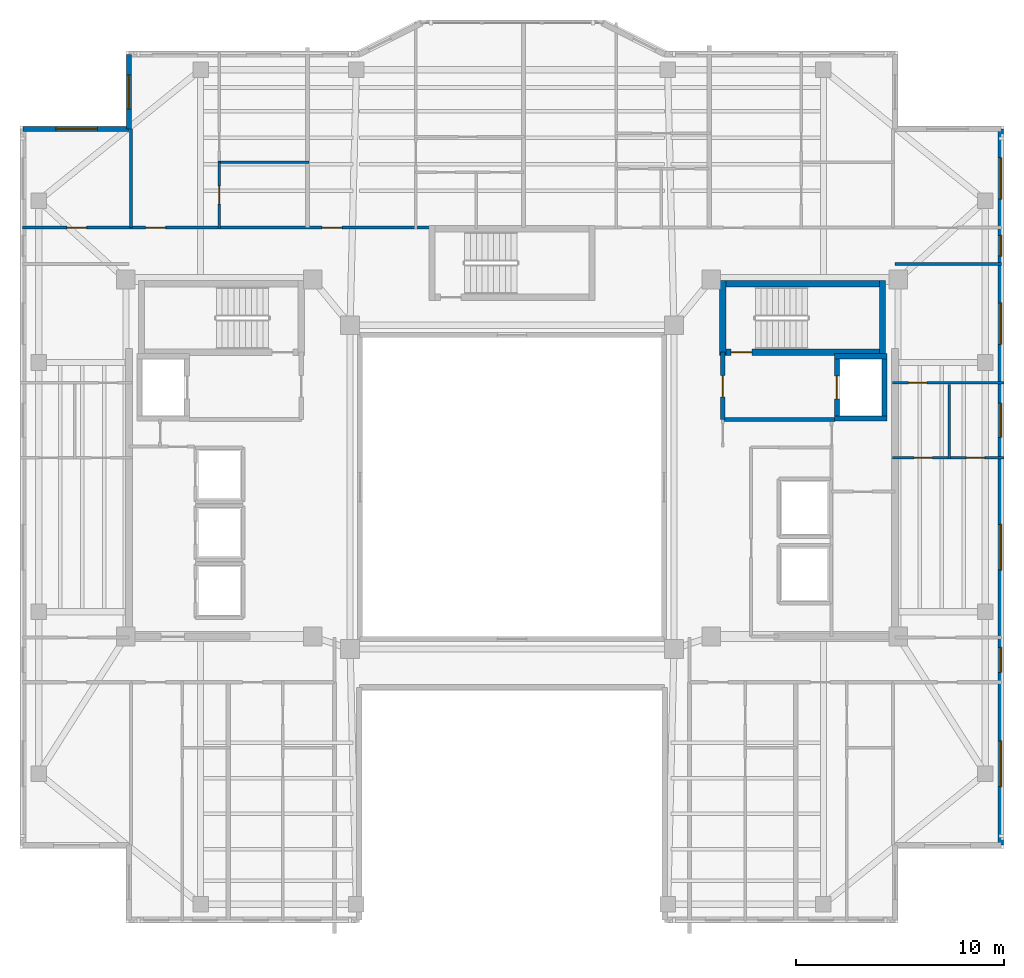
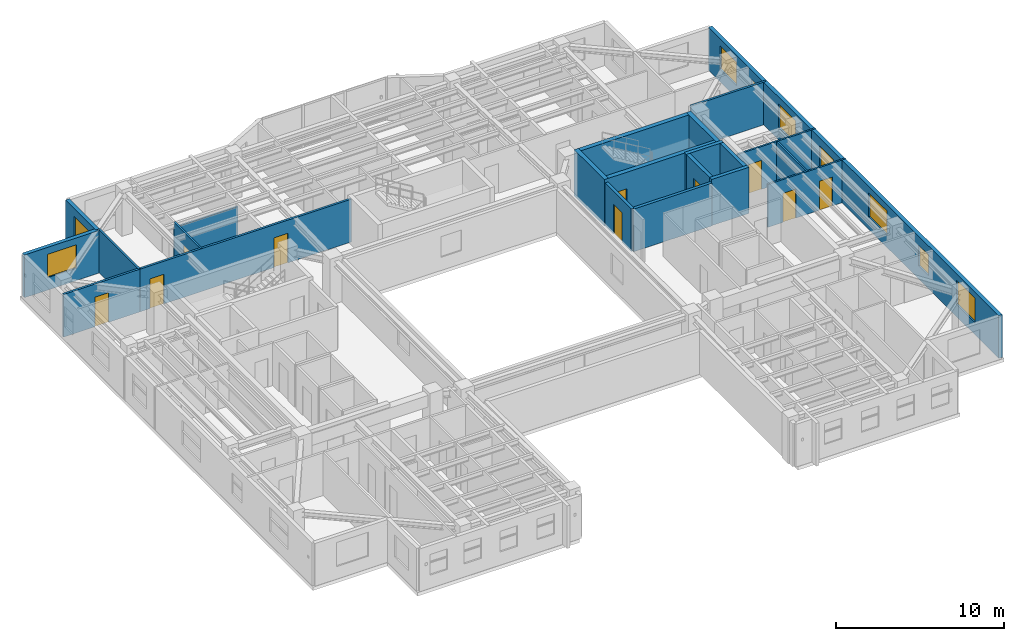
# One storey, part 7 of 12: 22 walls, 10 doors, 9 windows, 19 openings.
"""IFC4 building model written with IfcOpenShell, lengths in metres."""

from ifc_helpers import new_model, si_unit, direction, frame, frame_2d, origin, place, context, subcontext, project, spatial, rectangle, extrude, material, layer, layer_set, type_object, element, fill, save


model = new_model("IFC4")

# Units and contexts
model_context = context("Model", 3, precision=1e-05, world=origin(), true_north=direction((0.0, 1.0)))
body_context = subcontext(model_context, "Body", "Model", "MODEL_VIEW")
ifc_project = project(units=[si_unit("LENGTHUNIT", "METRE"), si_unit("AREAUNIT", "SQUARE_METRE"), si_unit("VOLUMEUNIT", "CUBIC_METRE"), si_unit("PLANEANGLEUNIT", "RADIAN"), si_unit("MASSUNIT", "GRAM", prefix="KILO")], contexts=[model_context])

# Site, building, storey
site_placement = place(None, origin())
site = spatial("IfcSite", under=ifc_project, at=site_placement, CompositionType="ELEMENT")
building_placement = place(site_placement, origin())
building = spatial("IfcBuilding", under=site, at=building_placement, Name="Tarnavaz Court Tower", CompositionType="ELEMENT")
storey_placement = place(building_placement, frame((0.0, 0.0, 210.35009765625)))
storey = spatial("IfcBuildingStorey", under=building, at=storey_placement, Name="L57", CompositionType="ELEMENT", Elevation=210.35009765625)

# Wall, opening, door
ifc_material_1 = material(Name="Concrete C50/60", Category="concrete")
ifc_layer_1 = layer(ifc_material_1, 0.25)
ifc_layer_set_1 = layer_set([ifc_layer_1], Name="Concrete C50/60")
wall_type_1 = type_object("IfcWallType", Name="WL-CORE-250-C50", PredefinedType="SHEAR", material=ifc_layer_set_1)
wall_1_placement = place(storey_placement, frame((15.64990234375, 3.175048828125, 0.0), z_axis=(0.0, 0.0, 1.0), x_axis=(0.0, 1.0, 0.0)))
wall_1 = element("IfcWall", 1, at=wall_1_placement, inside=storey, type_object=wall_type_1, Name="L57 Lift FL-E1 Shaft Wall 033", PredefinedType="SHEAR", context=body_context, shape_type="SweptSolid", body=[
    extrude(rectangle(XDim=3.25, YDim=0.25, at=frame_2d((1.625, 0.0))), origin(), (0.0, 0.0, 1.0), 3.349853515625),
])
opening_1_placement = place(wall_1_placement, frame((1.074951171875, 0.0, 0.0)))
opening_1 = element("IfcOpeningElement", 2, at=opening_1_placement, cuts=wall_1, Name="Opening LD1", PredefinedType="OPENING", context=body_context, shape_type="SweptSolid", body=[
    extrude(rectangle(XDim=1.10009765625, YDim=2.14990234375, at=frame_2d((0.550048828125, 1.074951171875))), frame((0.0, 0.135009765625, 0.0), z_axis=(0.0, -1.0, 0.0), x_axis=(1.0, 0.0, 0.0)), (0.0, 0.0, 1.0), 0.27001953125),
])
ifc_material_2 = material(Name="Stainless Steel", Category="steel")
door_type_1 = type_object("IfcDoorType", Name="DR-LD-1100", OperationType="NOTDEFINED", PredefinedType="DOOR", material=ifc_material_2)
door_1_placement = place(opening_1_placement, origin())
door_1 = element("IfcDoor", 3, at=door_1_placement, inside=storey, type_object=door_type_1, Name="L57 Lift Landing Door LD-FL-E1", OperationType="SLIDING_TO_LEFT", OverallHeight=2.14990234375, OverallWidth=1.10009765625, PredefinedType="DOOR", context=body_context, shape_type="SweptSolid", body=[
    extrude(rectangle(XDim=1.10009765625, YDim=2.14990234375, at=frame_2d((0.550048828125, 1.074951171875))), frame((0.0, 0.02490234375, 0.0), z_axis=(0.0, -1.0, 0.0), x_axis=(1.0, 0.0, 0.0)), (0.0, 0.0, 1.0), 0.050048828125),
])
fill(opening_1, door_1)

# Walls
wall_2_placement = place(storey_placement, frame((17.949951171875, 3.175048828125, 0.0), z_axis=(0.0, 0.0, 1.0), x_axis=(0.0, 1.0, 0.0)))
element("IfcWall", 4, at=wall_2_placement, inside=storey, type_object=wall_type_1, Name="L57 Lift FL-E1 Shaft Wall 034", PredefinedType="SHEAR", context=body_context, shape_type="SweptSolid", body=[
    extrude(rectangle(XDim=3.25, YDim=0.25, at=frame_2d((1.625, 0.0))), origin(), (0.0, 0.0, 1.0), 3.349853515625),
])
for number, where, z_axis, x_axis, name in (
    (5, (15.52490234375, 3.300048828125, 0.0), (0.0, 0.0, 1.0), (1.0, 0.0, 0.0), "L57 Lift FL-E1 Shaft Wall 035"),
    (6, (15.52490234375, 6.300048828125, 0.0), (0.0, 0.0, 1.0), (1.0, 0.0, 0.0), "L57 Lift FL-E1 Shaft Wall 036"),
):
    element("IfcWall", number, at=place(storey_placement, frame(where, z_axis=z_axis, x_axis=x_axis)), inside=storey, type_object=wall_type_1, Name=name, PredefinedType="SHEAR", context=body_context, shape_type="SweptSolid", body=[
        extrude(rectangle(XDim=2.550048828125, YDim=0.25, at=frame_2d((1.27490234375, 0.0))), origin(), (0.0, 0.0, 1.0), 3.349853515625),
    ])
ifc_layer_2 = layer(ifc_material_1, 0.300048828125)
ifc_layer_set_2 = layer_set([ifc_layer_2], Name="Concrete C50/60")
wall_type_2 = type_object("IfcWallType", Name="WL-CORE-300-C50", PredefinedType="SHEAR", material=ifc_layer_set_2)
wall_3_placement = place(storey_placement, frame((10.0, 9.7900390625, 0.0), z_axis=(0.0, 0.0, 1.0), x_axis=(1.0, 0.0, 0.0)))
element("IfcWall", 7, at=wall_3_placement, inside=storey, type_object=wall_type_2, Name="L57 East Stair Core Wall 005", PredefinedType="SHEAR", context=body_context, shape_type="SweptSolid", body=[
    extrude(rectangle(XDim=8.0, YDim=0.300048828125, at=frame_2d((4.0, 0.0))), origin(), (0.0, 0.0, 1.0), 3.349853515625),
])

# Wall, opening, door
wall_4_placement = place(storey_placement, frame((10.0, 6.5, 0.0), z_axis=(0.0, 0.0, 1.0), x_axis=(1.0, 0.0, 0.0)))
wall_4 = element("IfcWall", 8, at=wall_4_placement, inside=storey, type_object=wall_type_2, Name="L57 East Stair Core Wall 006", PredefinedType="SHEAR", context=body_context, shape_type="SweptSolid", body=[
    extrude(rectangle(XDim=8.0, YDim=0.300048828125, at=frame_2d((4.0, 0.0))), origin(), (0.0, 0.0, 1.0), 3.349853515625),
])
opening_2_placement = place(wall_4_placement, frame((0.550048828125, 0.0, 0.0)))
opening_2 = element("IfcOpeningElement", 9, at=opening_2_placement, cuts=wall_4, Name="Opening D01", PredefinedType="OPENING", context=body_context, shape_type="SweptSolid", body=[
    extrude(rectangle(XDim=1.0, YDim=2.14990234375, at=frame_2d((0.5, 1.074951171875))), frame((0.0, 0.159912109375, 0.0), z_axis=(0.0, -1.0, 0.0), x_axis=(1.0, 0.0, 0.0)), (0.0, 0.0, 1.0), 0.320068359375),
])
ifc_material_3 = material(Name="Fire-Rated Hardwood Timber Core", Category="wood")
door_type_2 = type_object("IfcDoorType", Name="DR-FD90-1000", OperationType="NOTDEFINED", PredefinedType="DOOR", material=ifc_material_3)
door_2_placement = place(opening_2_placement, origin())
door_2 = element("IfcDoor", 10, at=door_2_placement, inside=storey, type_object=door_type_2, Name="L57 Stair ST-E1 Exit Door", OperationType="SINGLE_SWING_RIGHT", OverallHeight=2.14990234375, OverallWidth=1.0, PredefinedType="DOOR", context=body_context, shape_type="SweptSolid", body=[
    extrude(rectangle(XDim=1.0, YDim=2.14990234375, at=frame_2d((0.5, 1.074951171875))), frame((0.0, 0.02490234375, 0.0), z_axis=(0.0, -1.0, 0.0), x_axis=(1.0, 0.0, 0.0)), (0.0, 0.0, 1.0), 0.050048828125),
])
fill(opening_2, door_2)

# Walls
for number, where, z_axis, x_axis, name in (
    (11, (10.14990234375, 6.35009765625, 0.0), (0.0, 0.0, 1.0), (0.0, 1.0, 0.0), "L57 East Stair Core Wall 007"),
    (12, (17.85009765625, 6.35009765625, 0.0), (0.0, 0.0, 1.0), (0.0, 1.0, 0.0), "L57 East Stair Core Wall 008"),
):
    element("IfcWall", number, at=place(storey_placement, frame(where, z_axis=z_axis, x_axis=x_axis)), inside=storey, type_object=wall_type_2, Name=name, PredefinedType="SHEAR", context=body_context, shape_type="SweptSolid", body=[
        extrude(rectangle(XDim=3.58984375, YDim=0.300048828125, at=frame_2d((1.794921875, 0.0))), origin(), (0.0, 0.0, 1.0), 3.349853515625),
    ])

# Wall, opening, window
ifc_material_4 = material(Name="Precast Concrete C40/50", Category="concrete")
ifc_layer_3 = layer(ifc_material_4, 0.260009765625)
ifc_layer_set_3 = layer_set([ifc_layer_3], Name="Precast Concrete C40/50")
wall_type_3 = type_object("IfcWallType", Name="WL-EXT-260", PredefinedType="SOLIDWALL", material=ifc_layer_set_3)
wall_5_placement = place(storey_placement, frame((-23.550048828125, 17.25, 0.0), z_axis=(0.0, 0.0, 1.0), x_axis=(1.0, 0.0, 0.0)))
wall_5 = element("IfcWall", 13, at=wall_5_placement, inside=storey, type_object=wall_type_3, Name="L57 Exterior Terracotta Facade Wall 03", PredefinedType="SOLIDWALL", context=body_context, shape_type="SweptSolid", body=[
    extrude(rectangle(XDim=5.10009765625, YDim=0.260009765625, at=frame_2d((2.550048828125, 0.0))), origin(), (0.0, 0.0, 1.0), 3.099853515625),
])
opening_3_placement = place(wall_5_placement, frame((1.574951171875, 0.0, 0.89990234375)))
opening_3 = element("IfcOpeningElement", 14, at=opening_3_placement, cuts=wall_5, Name="Opening W08", PredefinedType="OPENING", context=body_context, shape_type="SweptSolid", body=[
    extrude(rectangle(XDim=2.0, YDim=1.699951171875, at=frame_2d((1.0, 0.85009765625))), frame((0.0, 0.139892578125, 0.0), z_axis=(0.0, -1.0, 0.0), x_axis=(1.0, 0.0, 0.0)), (0.0, 0.0, 1.0), 0.280029296875),
])
ifc_material_5 = material(Name="Double-Glazed Solar Low-E Glass", Category="glass")
window_type_1 = type_object("IfcWindowType", Name="WN-APT-2000", PartitioningType="DOUBLE_PANEL_VERTICAL", PredefinedType="WINDOW", material=ifc_material_5)
window_1_placement = place(opening_3_placement, origin())
window_1 = element("IfcWindow", 15, at=window_1_placement, inside=storey, type_object=window_type_1, Name="L57 North-West Corner Sunroom Study Window", OverallHeight=1.699951171875, OverallWidth=2.0, PartitioningType="SINGLE_PANEL", PredefinedType="WINDOW", context=body_context, shape_type="SweptSolid", body=[
    extrude(rectangle(XDim=2.0, YDim=1.699951171875, at=frame_2d((1.0, 0.85009765625))), frame((0.0, 0.030029296875, 0.0), z_axis=(0.0, -1.0, 0.0), x_axis=(1.0, 0.0, 0.0)), (0.0, 0.0, 1.0), 0.06005859375),
])
fill(opening_3, window_1)

wall_6_placement = place(storey_placement, frame((-18.449951171875, 17.25, 0.0), z_axis=(0.0, 0.0, 1.0), x_axis=(0.0, 1.0, 0.0)))
wall_6 = element("IfcWall", 16, at=wall_6_placement, inside=storey, type_object=wall_type_3, Name="L57 Exterior Terracotta Facade Wall 04", PredefinedType="SOLIDWALL", context=body_context, shape_type="SweptSolid", body=[
    extrude(rectangle(XDim=3.60009765625, YDim=0.260009765625, at=frame_2d((1.800048828125, 0.0))), origin(), (0.0, 0.0, 1.0), 3.099853515625),
])
opening_4_placement = place(wall_6_placement, frame((0.95751953125, 0.0, 0.89990234375)))
opening_4 = element("IfcOpeningElement", 17, at=opening_4_placement, cuts=wall_6, Name="Opening W02", PredefinedType="OPENING", context=body_context, shape_type="SweptSolid", body=[
    extrude(rectangle(XDim=1.64990234375, YDim=1.60009765625, at=frame_2d((0.824951171875, 0.800048828125))), frame((0.0, 0.139892578125, 0.0), z_axis=(0.0, -1.0, 0.0), x_axis=(1.0, 0.0, 0.0)), (0.0, 0.0, 1.0), 0.280029296875),
])
window_type_2 = type_object("IfcWindowType", Name="WN-APT-1650", PartitioningType="DOUBLE_PANEL_VERTICAL", PredefinedType="WINDOW", material=ifc_material_5)
window_2_placement = place(opening_4_placement, origin())
window_2 = element("IfcWindow", 18, at=window_2_placement, inside=storey, type_object=window_type_2, Name="L57 Flat 01 Studio Living and Sleeping Room Window", OverallHeight=1.60009765625, OverallWidth=1.64990234375, PartitioningType="SINGLE_PANEL", PredefinedType="WINDOW", context=body_context, shape_type="SweptSolid", body=[
    extrude(rectangle(XDim=1.64990234375, YDim=1.60009765625, at=frame_2d((0.824951171875, 0.800048828125))), frame((0.0, 0.030029296875, 0.0), z_axis=(0.0, -1.0, 0.0), x_axis=(1.0, 0.0, 0.0)), (0.0, 0.0, 1.0), 0.06005859375),
])
fill(opening_4, window_2)

# Wall, openings, windows
wall_7_placement = place(storey_placement, frame((23.550048828125, 17.25, 0.0), z_axis=(0.0, 0.0, 1.0), x_axis=(0.0, -1.0, 0.0)))
wall_7 = element("IfcWall", 19, at=wall_7_placement, inside=storey, type_object=wall_type_3, Name="L57 Exterior Terracotta Facade Wall 12", PredefinedType="SOLIDWALL", context=body_context, shape_type="SweptSolid", body=[
    extrude(rectangle(XDim=34.5, YDim=0.260009765625, at=frame_2d((17.25, 0.0))), origin(), (0.0, 0.0, 1.0), 3.099853515625),
])
opening_5_placement = place(wall_7_placement, frame((1.375, 0.0, 0.89990234375)))
opening_5 = element("IfcOpeningElement", 20, at=opening_5_placement, cuts=wall_7, Name="Opening W08", PredefinedType="OPENING", context=body_context, shape_type="SweptSolid", body=[
    extrude(rectangle(XDim=2.0, YDim=1.699951171875, at=frame_2d((1.0, 0.85009765625))), frame((0.0, 0.139892578125, 0.0), z_axis=(0.0, -1.0, 0.0), x_axis=(1.0, 0.0, 0.0)), (0.0, 0.0, 1.0), 0.280029296875),
])
opening_6_placement = place(wall_7_placement, frame((5.125, 0.0, 0.949951171875)))
opening_6 = element("IfcOpeningElement", 21, at=opening_6_placement, cuts=wall_7, Name="Opening W14", PredefinedType="OPENING", context=body_context, shape_type="SweptSolid", body=[
    extrude(rectangle(XDim=1.0, YDim=1.5, at=frame_2d((0.5, 0.75))), frame((0.0, 0.139892578125, 0.0), z_axis=(0.0, -1.0, 0.0), x_axis=(1.0, 0.0, 0.0)), (0.0, 0.0, 1.0), 0.280029296875),
])
opening_7_placement = place(wall_7_placement, frame((8.375, 0.0, 0.89990234375)))
opening_7 = element("IfcOpeningElement", 22, at=opening_7_placement, cuts=wall_7, Name="Opening W08", PredefinedType="OPENING", context=body_context, shape_type="SweptSolid", body=[
    extrude(rectangle(XDim=2.0, YDim=1.699951171875, at=frame_2d((1.0, 0.85009765625))), frame((0.0, 0.139892578125, 0.0), z_axis=(0.0, -1.0, 0.0), x_axis=(1.0, 0.0, 0.0)), (0.0, 0.0, 1.0), 0.280029296875),
])
opening_8_placement = place(wall_7_placement, frame((13.199951171875, 0.0, 0.89990234375)))
opening_8 = element("IfcOpeningElement", 23, at=opening_8_placement, cuts=wall_7, Name="Opening W02", PredefinedType="OPENING", context=body_context, shape_type="SweptSolid", body=[
    extrude(rectangle(XDim=1.64990234375, YDim=1.60009765625, at=frame_2d((0.824951171875, 0.800048828125))), frame((0.0, 0.139892578125, 0.0), z_axis=(0.0, -1.0, 0.0), x_axis=(1.0, 0.0, 0.0)), (0.0, 0.0, 1.0), 0.280029296875),
])
opening_9_placement = place(wall_7_placement, frame((19.050048828125, 0.0, 0.89990234375)))
opening_9 = element("IfcOpeningElement", 24, at=opening_9_placement, cuts=wall_7, Name="Opening W07", PredefinedType="OPENING", context=body_context, shape_type="SweptSolid", body=[
    extrude(rectangle(XDim=2.199951171875, YDim=1.75, at=frame_2d((1.10009765625, 0.875))), frame((0.0, 0.139892578125, 0.0), z_axis=(0.0, -1.0, 0.0), x_axis=(1.0, 0.0, 0.0)), (0.0, 0.0, 1.0), 0.280029296875),
])
opening_10_placement = place(wall_7_placement, frame((24.97509765625, 0.0, 0.949951171875)))
opening_10 = element("IfcOpeningElement", 25, at=opening_10_placement, cuts=wall_7, Name="Opening W05", PredefinedType="OPENING", context=body_context, shape_type="SweptSolid", body=[
    extrude(rectangle(XDim=1.199951171875, YDim=1.5, at=frame_2d((0.60009765625, 0.75))), frame((0.0, 0.139892578125, 0.0), z_axis=(0.0, -1.0, 0.0), x_axis=(1.0, 0.0, 0.0)), (0.0, 0.0, 1.0), 0.280029296875),
])
opening_11_placement = place(wall_7_placement, frame((29.47509765625, 0.0, 0.89990234375)))
opening_11 = element("IfcOpeningElement", 26, at=opening_11_placement, cuts=wall_7, Name="Opening W07", PredefinedType="OPENING", context=body_context, shape_type="SweptSolid", body=[
    extrude(rectangle(XDim=2.199951171875, YDim=1.75, at=frame_2d((1.10009765625, 0.875))), frame((0.0, 0.139892578125, 0.0), z_axis=(0.0, -1.0, 0.0), x_axis=(1.0, 0.0, 0.0)), (0.0, 0.0, 1.0), 0.280029296875),
])
window_type_3 = type_object("IfcWindowType", Name="WN-APT-1000", PartitioningType="SINGLE_PANEL", PredefinedType="WINDOW", material=ifc_material_5)
window_3_placement = place(opening_6_placement, origin())
window_3 = element("IfcWindow", 27, at=window_3_placement, inside=storey, type_object=window_type_3, Name="L57 North-East Corner Corridor Window", OverallHeight=1.5, OverallWidth=1.0, PartitioningType="SINGLE_PANEL", PredefinedType="WINDOW", context=body_context, shape_type="SweptSolid", body=[
    extrude(rectangle(XDim=1.0, YDim=1.5, at=frame_2d((0.5, 0.75))), frame((0.0, 0.030029296875, 0.0), z_axis=(0.0, -1.0, 0.0), x_axis=(1.0, 0.0, 0.0)), (0.0, 0.0, 1.0), 0.06005859375),
])
fill(opening_6, window_3)
window_type_4 = type_object("IfcWindowType", Name="WN-APT-1200", PartitioningType="SINGLE_PANEL", PredefinedType="WINDOW", material=ifc_material_5)
window_4_placement = place(opening_10_placement, origin())
window_4 = element("IfcWindow", 28, at=window_4_placement, inside=storey, type_object=window_type_4, Name="L57 South-East Corner Corridor Window", OverallHeight=1.5, OverallWidth=1.199951171875, PartitioningType="SINGLE_PANEL", PredefinedType="WINDOW", context=body_context, shape_type="SweptSolid", body=[
    extrude(rectangle(XDim=1.199951171875, YDim=1.5, at=frame_2d((0.60009765625, 0.75))), frame((0.0, 0.030029296875, 0.0), z_axis=(0.0, -1.0, 0.0), x_axis=(1.0, 0.0, 0.0)), (0.0, 0.0, 1.0), 0.06005859375),
])
fill(opening_10, window_4)
window_5_placement = place(opening_8_placement, origin())
window_5 = element("IfcWindow", 29, at=window_5_placement, inside=storey, type_object=window_type_2, Name="L57 Flat 10 Bathroom Window", OverallHeight=1.60009765625, OverallWidth=1.64990234375, PartitioningType="SINGLE_PANEL", PredefinedType="WINDOW", context=body_context, shape_type="SweptSolid", body=[
    extrude(rectangle(XDim=1.64990234375, YDim=1.60009765625, at=frame_2d((0.824951171875, 0.800048828125))), frame((0.0, 0.030029296875, 0.0), z_axis=(0.0, -1.0, 0.0), x_axis=(1.0, 0.0, 0.0)), (0.0, 0.0, 1.0), 0.06005859375),
])
fill(opening_8, window_5)
window_6_placement = place(opening_5_placement, origin())
window_6 = element("IfcWindow", 30, at=window_6_placement, inside=storey, type_object=window_type_1, Name="L57 North-East Corner Sunroom Study Window", OverallHeight=1.699951171875, OverallWidth=2.0, PartitioningType="SINGLE_PANEL", PredefinedType="WINDOW", context=body_context, shape_type="SweptSolid", body=[
    extrude(rectangle(XDim=2.0, YDim=1.699951171875, at=frame_2d((1.0, 0.85009765625))), frame((0.0, 0.030029296875, 0.0), z_axis=(0.0, -1.0, 0.0), x_axis=(1.0, 0.0, 0.0)), (0.0, 0.0, 1.0), 0.06005859375),
])
fill(opening_5, window_6)
window_7_placement = place(opening_7_placement, origin())
window_7 = element("IfcWindow", 31, at=window_7_placement, inside=storey, type_object=window_type_1, Name="L57 Flat 10 Study Room Window", OverallHeight=1.699951171875, OverallWidth=2.0, PartitioningType="SINGLE_PANEL", PredefinedType="WINDOW", context=body_context, shape_type="SweptSolid", body=[
    extrude(rectangle(XDim=2.0, YDim=1.699951171875, at=frame_2d((1.0, 0.85009765625))), frame((0.0, 0.030029296875, 0.0), z_axis=(0.0, -1.0, 0.0), x_axis=(1.0, 0.0, 0.0)), (0.0, 0.0, 1.0), 0.06005859375),
])
fill(opening_7, window_7)
window_type_5 = type_object("IfcWindowType", Name="WN-APT-2200", PartitioningType="TRIPLE_PANEL_VERTICAL", PredefinedType="WINDOW", material=ifc_material_5)
window_8_placement = place(opening_9_placement, origin())
window_8 = element("IfcWindow", 32, at=window_8_placement, inside=storey, type_object=window_type_5, Name="L57 Flat 10 Studio Living and Sleeping Room Window", OverallHeight=1.75, OverallWidth=2.199951171875, PartitioningType="SINGLE_PANEL", PredefinedType="WINDOW", context=body_context, shape_type="SweptSolid", body=[
    extrude(rectangle(XDim=2.199951171875, YDim=1.75, at=frame_2d((1.10009765625, 0.875))), frame((0.0, 0.030029296875, 0.0), z_axis=(0.0, -1.0, 0.0), x_axis=(1.0, 0.0, 0.0)), (0.0, 0.0, 1.0), 0.06005859375),
])
fill(opening_9, window_8)
window_9_placement = place(opening_11_placement, origin())
window_9 = element("IfcWindow", 33, at=window_9_placement, inside=storey, type_object=window_type_5, Name="L57 South-East Corner Reading Room Window", OverallHeight=1.75, OverallWidth=2.199951171875, PartitioningType="SINGLE_PANEL", PredefinedType="WINDOW", context=body_context, shape_type="SweptSolid", body=[
    extrude(rectangle(XDim=2.199951171875, YDim=1.75, at=frame_2d((1.10009765625, 0.875))), frame((0.0, 0.030029296875, 0.0), z_axis=(0.0, -1.0, 0.0), x_axis=(1.0, 0.0, 0.0)), (0.0, 0.0, 1.0), 0.06005859375),
])
fill(opening_11, window_9)

# Wall, openings, doors
ifc_material_6 = material(Name="Gypsum Fire-Board on Acoustic Metal Stud", Category="masonry")
ifc_layer_4 = layer(ifc_material_6, 0.14990234375)
ifc_layer_set_4 = layer_set([ifc_layer_4], Name="Gypsum Fire-Board on Acoustic Metal Stud")
wall_type_4 = type_object("IfcWallType", Name="WL-FIRE-150", PredefinedType="PARTITIONING", material=ifc_layer_set_4)
wall_8_placement = place(storey_placement, frame((-18.35009765625, 12.5, 0.0), z_axis=(0.0, 0.0, 1.0), x_axis=(1.0, 0.0, 0.0)))
wall_8 = element("IfcWall", 34, at=wall_8_placement, inside=storey, type_object=wall_type_4, Name="L57 NW Wing Corridor Wall 058", PredefinedType="PARTITIONING", context=body_context, shape_type="SweptSolid", body=[
    extrude(rectangle(XDim=14.5, YDim=0.14990234375, at=frame_2d((7.25, 0.0))), origin(), (0.0, 0.0, 1.0), 3.099853515625),
])
opening_12_placement = place(wall_8_placement, frame((0.699951171875, 0.0, 0.0)))
opening_12 = element("IfcOpeningElement", 35, at=opening_12_placement, cuts=wall_8, Name="Opening D06", PredefinedType="OPENING", context=body_context, shape_type="SweptSolid", body=[
    extrude(rectangle(XDim=0.9599609375, YDim=2.14990234375, at=frame_2d((0.47998046875, 1.074951171875))), frame((0.0, 0.0849609375, 0.0), z_axis=(0.0, -1.0, 0.0), x_axis=(1.0, 0.0, 0.0)), (0.0, 0.0, 1.0), 0.169921875),
])
opening_13_placement = place(wall_8_placement, frame((9.205078125, 0.0, 0.0)))
opening_13 = element("IfcOpeningElement", 36, at=opening_13_placement, cuts=wall_8, Name="Opening D06", PredefinedType="OPENING", context=body_context, shape_type="SweptSolid", body=[
    extrude(rectangle(XDim=0.9599609375, YDim=2.14990234375, at=frame_2d((0.47998046875, 1.074951171875))), frame((0.0, 0.0849609375, 0.0), z_axis=(0.0, -1.0, 0.0), x_axis=(1.0, 0.0, 0.0)), (0.0, 0.0, 1.0), 0.169921875),
])
door_type_3 = type_object("IfcDoorType", Name="DR-FD60-950", OperationType="NOTDEFINED", PredefinedType="DOOR", material=ifc_material_3)
door_3_placement = place(opening_12_placement, origin())
door_3 = element("IfcDoor", 37, at=door_3_placement, inside=storey, type_object=door_type_3, Name="L57 Flat 01 Entrance Door", OperationType="SINGLE_SWING_RIGHT", OverallHeight=2.14990234375, OverallWidth=0.9599609375, PredefinedType="DOOR", context=body_context, shape_type="SweptSolid", body=[
    extrude(rectangle(XDim=0.9599609375, YDim=2.14990234375, at=frame_2d((0.47998046875, 1.074951171875))), frame((0.0, 0.02490234375, 0.0), z_axis=(0.0, -1.0, 0.0), x_axis=(1.0, 0.0, 0.0)), (0.0, 0.0, 1.0), 0.050048828125),
])
fill(opening_12, door_3)
door_4_placement = place(opening_13_placement, origin())
door_4 = element("IfcDoor", 38, at=door_4_placement, inside=storey, type_object=door_type_3, Name="L57 Flat 02 Entrance Door", OperationType="SINGLE_SWING_LEFT", OverallHeight=2.14990234375, OverallWidth=0.9599609375, PredefinedType="DOOR", context=body_context, shape_type="SweptSolid", body=[
    extrude(rectangle(XDim=0.9599609375, YDim=2.14990234375, at=frame_2d((0.47998046875, 1.074951171875))), frame((0.0, 0.02490234375, 0.0), z_axis=(0.0, -1.0, 0.0), x_axis=(1.0, 0.0, 0.0)), (0.0, 0.0, 1.0), 0.050048828125),
])
fill(opening_13, door_4)

# Wall
wall_9_placement = place(storey_placement, frame((18.449951171875, 10.75, 0.0), z_axis=(0.0, 0.0, 1.0), x_axis=(1.0, 0.0, 0.0)))
element("IfcWall", 39, at=wall_9_placement, inside=storey, type_object=wall_type_4, Name="L57 Interior Partition 102", PredefinedType="PARTITIONING", context=body_context, shape_type="SweptSolid", body=[
    extrude(rectangle(XDim=5.130126953125, YDim=0.14990234375, at=frame_2d((2.56494140625, 0.0))), origin(), (0.0, 0.0, 1.0), 3.099853515625),
])

# Wall, opening, door
wall_10_placement = place(storey_placement, frame((-23.580078125, 12.5, 0.0), z_axis=(0.0, 0.0, 1.0), x_axis=(1.0, 0.0, 0.0)))
wall_10 = element("IfcWall", 40, at=wall_10_placement, inside=storey, type_object=wall_type_4, Name="L57 Interior Partition 107", PredefinedType="PARTITIONING", context=body_context, shape_type="SweptSolid", body=[
    extrude(rectangle(XDim=5.22998046875, YDim=0.14990234375, at=frame_2d((2.614990234375, 0.0))), origin(), (0.0, 0.0, 1.0), 3.099853515625),
])
opening_14_placement = place(wall_10_placement, frame((2.139892578125, 0.0, 0.0)))
opening_14 = element("IfcOpeningElement", 41, at=opening_14_placement, cuts=wall_10, Name="Opening D13", PredefinedType="OPENING", context=body_context, shape_type="SweptSolid", body=[
    extrude(rectangle(XDim=0.949951171875, YDim=2.14990234375, at=frame_2d((0.47509765625, 1.074951171875))), frame((0.0, 0.0849609375, 0.0), z_axis=(0.0, -1.0, 0.0), x_axis=(1.0, 0.0, 0.0)), (0.0, 0.0, 1.0), 0.169921875),
])
ifc_material_7 = material(Name="Engineered Oak Timber", Category="wood")
door_type_4 = type_object("IfcDoorType", Name="DR-INT-950", OperationType="NOTDEFINED", PredefinedType="DOOR", material=ifc_material_7)
door_5_placement = place(opening_14_placement, origin())
door_5 = element("IfcDoor", 42, at=door_5_placement, inside=storey, type_object=door_type_4, Name="L57 NW Sunroom Door", OperationType="SINGLE_SWING_RIGHT", OverallHeight=2.14990234375, OverallWidth=0.949951171875, PredefinedType="DOOR", context=body_context, shape_type="SweptSolid", body=[
    extrude(rectangle(XDim=0.949951171875, YDim=2.14990234375, at=frame_2d((0.47509765625, 1.074951171875))), frame((0.0, 0.02490234375, 0.0), z_axis=(0.0, -1.0, 0.0), x_axis=(1.0, 0.0, 0.0)), (0.0, 0.0, 1.0), 0.050048828125),
])
fill(opening_14, door_5)

# Wall
ifc_material_8 = material(Name="Autoclaved Aerated Concrete Blockwork", Category="masonry")
ifc_layer_5 = layer(ifc_material_8, 0.199951171875)
ifc_layer_set_5 = layer_set([ifc_layer_5], Name="Autoclaved Aerated Concrete Blockwork")
wall_type_5 = type_object("IfcWallType", Name="WL-FIRE-200", PredefinedType="SOLIDWALL", material=ifc_layer_set_5)
wall_11_placement = place(storey_placement, frame((10.14990234375, 3.25, 0.0), z_axis=(0.0, 0.0, 1.0), x_axis=(1.0, 0.0, 0.0)))
element("IfcWall", 43, at=wall_11_placement, inside=storey, type_object=wall_type_5, Name="L57 East Firefighting Lobby Wall 015", PredefinedType="SOLIDWALL", context=body_context, shape_type="SweptSolid", body=[
    extrude(rectangle(XDim=5.400146484375, YDim=0.199951171875, at=frame_2d((2.7001953125, 0.0))), origin(), (0.0, 0.0, 1.0), 3.099853515625),
])

# Wall, opening, door
wall_12_placement = place(storey_placement, frame((10.14990234375, 3.25, 0.0), z_axis=(0.0, 0.0, 1.0), x_axis=(0.0, 1.0, 0.0)))
wall_12 = element("IfcWall", 44, at=wall_12_placement, inside=storey, type_object=wall_type_5, Name="L57 East Firefighting Lobby Wall 016", PredefinedType="SOLIDWALL", context=body_context, shape_type="SweptSolid", body=[
    extrude(rectangle(XDim=3.25, YDim=0.199951171875, at=frame_2d((1.625, 0.0))), origin(), (0.0, 0.0, 1.0), 3.099853515625),
])
opening_15_placement = place(wall_12_placement, frame((1.10009765625, 0.0, 0.0)))
opening_15 = element("IfcOpeningElement", 45, at=opening_15_placement, cuts=wall_12, Name="Opening D05", PredefinedType="OPENING", context=body_context, shape_type="SweptSolid", body=[
    extrude(rectangle(XDim=1.02001953125, YDim=2.14990234375, at=frame_2d((0.510009765625, 1.074951171875))), frame((0.0, 0.10986328125, 0.0), z_axis=(0.0, -1.0, 0.0), x_axis=(1.0, 0.0, 0.0)), (0.0, 0.0, 1.0), 0.219970703125),
])
door_type_5 = type_object("IfcDoorType", Name="DR-FD60-1000", OperationType="NOTDEFINED", PredefinedType="DOOR", material=ifc_material_3)
door_6_placement = place(opening_15_placement, origin())
door_6 = element("IfcDoor", 46, at=door_6_placement, inside=storey, type_object=door_type_5, Name="L57 East Firefighting Lobby Door", OperationType="SINGLE_SWING_LEFT", OverallHeight=2.14990234375, OverallWidth=1.02001953125, PredefinedType="DOOR", context=body_context, shape_type="SweptSolid", body=[
    extrude(rectangle(XDim=1.02001953125, YDim=2.14990234375, at=frame_2d((0.510009765625, 1.074951171875))), frame((0.0, 0.02490234375, 0.0), z_axis=(0.0, -1.0, 0.0), x_axis=(1.0, 0.0, 0.0)), (0.0, 0.0, 1.0), 0.050048828125),
])
fill(opening_15, door_6)

ifc_material_9 = material(Name="Moisture-Resistant Gypsum Board Partition", Category="masonry")
ifc_layer_6 = layer(ifc_material_9, 0.1201171875)
ifc_layer_set_6 = layer_set([ifc_layer_6], Name="Moisture-Resistant Gypsum Board Partition")
wall_type_6 = type_object("IfcWallType", Name="WL-PART-120", PredefinedType="PARTITIONING", material=ifc_layer_set_6)
wall_13_placement = place(storey_placement, frame((-14.097900390625, 12.43994140625, 0.0), z_axis=(0.0, 0.0, 1.0), x_axis=(0.0, 1.0, 0.0)))
wall_13 = element("IfcWall", 47, at=wall_13_placement, inside=storey, type_object=wall_type_6, Name="L57 Interior Partition 066", PredefinedType="PARTITIONING", context=body_context, shape_type="SweptSolid", body=[
    extrude(rectangle(XDim=3.2099609375, YDim=0.1201171875, at=frame_2d((1.60498046875, 0.0))), origin(), (0.0, 0.0, 1.0), 3.099853515625),
])
opening_16_placement = place(wall_13_placement, frame((1.195068359375, 0.0, 0.0)))
opening_16 = element("IfcOpeningElement", 48, at=opening_16_placement, cuts=wall_13, Name="Opening D14", PredefinedType="OPENING", context=body_context, shape_type="SweptSolid", body=[
    extrude(rectangle(XDim=0.8798828125, YDim=2.10009765625, at=frame_2d((0.43994140625, 1.050048828125))), frame((0.0, 0.070068359375, 0.0), z_axis=(0.0, -1.0, 0.0), x_axis=(1.0, 0.0, 0.0)), (0.0, 0.0, 1.0), 0.14013671875),
])
door_type_6 = type_object("IfcDoorType", Name="DR-INT-900", OperationType="NOTDEFINED", PredefinedType="DOOR", material=ifc_material_7)
door_7_placement = place(opening_16_placement, origin())
door_7 = element("IfcDoor", 49, at=door_7_placement, inside=storey, type_object=door_type_6, Name="L57 Flat 01 Bathroom Door", OperationType="SINGLE_SWING_LEFT", OverallHeight=2.10009765625, OverallWidth=0.8798828125, PredefinedType="DOOR", context=body_context, shape_type="SweptSolid", body=[
    extrude(rectangle(XDim=0.8798828125, YDim=2.10009765625, at=frame_2d((0.43994140625, 1.050048828125))), frame((0.0, 0.02490234375, 0.0), z_axis=(0.0, -1.0, 0.0), x_axis=(1.0, 0.0, 0.0)), (0.0, 0.0, 1.0), 0.050048828125),
])
fill(opening_16, door_7)

# Wall
wall_14_placement = place(storey_placement, frame((-14.157958984375, 15.64990234375, 0.0), z_axis=(0.0, 0.0, 1.0), x_axis=(1.0, 0.0, 0.0)))
element("IfcWall", 50, at=wall_14_placement, inside=storey, type_object=wall_type_6, Name="L57 Interior Partition 068", PredefinedType="PARTITIONING", context=body_context, shape_type="SweptSolid", body=[
    extrude(rectangle(XDim=4.373046875, YDim=0.1201171875, at=frame_2d((2.1865234375, 0.0))), origin(), (0.0, 0.0, 1.0), 2.724853515625),
])

# Wall, openings, doors
wall_15_placement = place(storey_placement, frame((18.330078125, 1.419921875, 0.0), z_axis=(0.0, 0.0, 1.0), x_axis=(1.0, 0.0, 0.0)))
wall_15 = element("IfcWall", 51, at=wall_15_placement, inside=storey, type_object=wall_type_6, Name="L57 Interior Partition 114", PredefinedType="PARTITIONING", context=body_context, shape_type="SweptSolid", body=[
    extrude(rectangle(XDim=5.369873046875, YDim=0.1201171875, at=frame_2d((2.68505859375, 0.0))), origin(), (0.0, 0.0, 1.0), 3.099853515625),
])
opening_17_placement = place(wall_15_placement, frame((1.0380859375, 0.0, 0.0)))
opening_17 = element("IfcOpeningElement", 52, at=opening_17_placement, cuts=wall_15, Name="Opening D14", PredefinedType="OPENING", context=body_context, shape_type="SweptSolid", body=[
    extrude(rectangle(XDim=0.8798828125, YDim=2.10009765625, at=frame_2d((0.43994140625, 1.050048828125))), frame((0.0, 0.070068359375, 0.0), z_axis=(0.0, -1.0, 0.0), x_axis=(1.0, 0.0, 0.0)), (0.0, 0.0, 1.0), 0.14013671875),
])
opening_18_placement = place(wall_15_placement, frame((3.552978515625, 0.0, 0.0)))
opening_18 = element("IfcOpeningElement", 53, at=opening_18_placement, cuts=wall_15, Name="Opening D14", PredefinedType="OPENING", context=body_context, shape_type="SweptSolid", body=[
    extrude(rectangle(XDim=0.8798828125, YDim=2.10009765625, at=frame_2d((0.43994140625, 1.050048828125))), frame((0.0, 0.070068359375, 0.0), z_axis=(0.0, -1.0, 0.0), x_axis=(1.0, 0.0, 0.0)), (0.0, 0.0, 1.0), 0.14013671875),
])
door_8_placement = place(opening_17_placement, origin())
door_8 = element("IfcDoor", 54, at=door_8_placement, inside=storey, type_object=door_type_6, Name="L57 Flat 10 Kitchen Door", OperationType="SINGLE_SWING_LEFT", OverallHeight=2.10009765625, OverallWidth=0.8798828125, PredefinedType="DOOR", context=body_context, shape_type="SweptSolid", body=[
    extrude(rectangle(XDim=0.8798828125, YDim=2.10009765625, at=frame_2d((0.43994140625, 1.050048828125))), frame((0.0, 0.02490234375, 0.0), z_axis=(0.0, -1.0, 0.0), x_axis=(1.0, 0.0, 0.0)), (0.0, 0.0, 1.0), 0.050048828125),
])
fill(opening_17, door_8)
door_9_placement = place(opening_18_placement, origin())
door_9 = element("IfcDoor", 55, at=door_9_placement, inside=storey, type_object=door_type_6, Name="L57 Flat 10 Bathroom Door", OperationType="SINGLE_SWING_RIGHT", OverallHeight=2.10009765625, OverallWidth=0.8798828125, PredefinedType="DOOR", context=body_context, shape_type="SweptSolid", body=[
    extrude(rectangle(XDim=0.8798828125, YDim=2.10009765625, at=frame_2d((0.43994140625, 1.050048828125))), frame((0.0, 0.02490234375, 0.0), z_axis=(0.0, -1.0, 0.0), x_axis=(1.0, 0.0, 0.0)), (0.0, 0.0, 1.0), 0.050048828125),
])
fill(opening_18, door_9)

# Wall, opening, door
wall_16_placement = place(storey_placement, frame((18.330078125, 5.02001953125, 0.0), z_axis=(0.0, 0.0, 1.0), x_axis=(1.0, 0.0, 0.0)))
wall_16 = element("IfcWall", 56, at=wall_16_placement, inside=storey, type_object=wall_type_6, Name="L57 Interior Partition 115", PredefinedType="PARTITIONING", context=body_context, shape_type="SweptSolid", body=[
    extrude(rectangle(XDim=5.369873046875, YDim=0.1201171875, at=frame_2d((2.68505859375, 0.0))), origin(), (0.0, 0.0, 1.0), 3.099853515625),
])
opening_19_placement = place(wall_16_placement, frame((0.77001953125, 0.0, 0.0)))
opening_19 = element("IfcOpeningElement", 57, at=opening_19_placement, cuts=wall_16, Name="Opening D14", PredefinedType="OPENING", context=body_context, shape_type="SweptSolid", body=[
    extrude(rectangle(XDim=0.8798828125, YDim=2.10009765625, at=frame_2d((0.43994140625, 1.050048828125))), frame((0.0, 0.070068359375, 0.0), z_axis=(0.0, -1.0, 0.0), x_axis=(1.0, 0.0, 0.0)), (0.0, 0.0, 1.0), 0.14013671875),
])
door_10_placement = place(opening_19_placement, origin())
door_10 = element("IfcDoor", 58, at=door_10_placement, inside=storey, type_object=door_type_6, Name="L57 Flat 10 Study Door", OperationType="SINGLE_SWING_LEFT", OverallHeight=2.10009765625, OverallWidth=0.8798828125, PredefinedType="DOOR", context=body_context, shape_type="SweptSolid", body=[
    extrude(rectangle(XDim=0.8798828125, YDim=2.10009765625, at=frame_2d((0.43994140625, 1.050048828125))), frame((0.0, 0.02490234375, 0.0), z_axis=(0.0, -1.0, 0.0), x_axis=(1.0, 0.0, 0.0)), (0.0, 0.0, 1.0), 0.050048828125),
])
fill(opening_19, door_10)

# Walls
wall_17_placement = place(storey_placement, frame((21.06494140625, 1.360107421875, 0.0), z_axis=(0.0, 0.0, 1.0), x_axis=(0.0, 1.0, 0.0)))
element("IfcWall", 59, at=wall_17_placement, inside=storey, type_object=wall_type_6, Name="L57 Interior Partition 116", PredefinedType="PARTITIONING", context=body_context, shape_type="SweptSolid", body=[
    extrude(rectangle(XDim=3.579833984375, YDim=0.1201171875, at=frame_2d((1.7900390625, 0.0))), origin(), (0.0, 0.0, 1.0), 3.099853515625),
])
ifc_material_10 = material(Name="Gypsum Plasterboard Acoustic Partition", Category="masonry")
ifc_layer_7 = layer(ifc_material_10, 0.139892578125)
ifc_layer_set_7 = layer_set([ifc_layer_7], Name="Gypsum Plasterboard Acoustic Partition")
wall_type_7 = type_object("IfcWallType", Name="WL-PART-150", PredefinedType="PARTITIONING", material=ifc_layer_set_7)
wall_18_placement = place(storey_placement, frame((-18.35009765625, 12.5, 0.0), z_axis=(0.0, 0.0, 1.0), x_axis=(0.0, 1.0, 0.0)))
element("IfcWall", 60, at=wall_18_placement, inside=storey, type_object=wall_type_7, Name="L57 Interior Partition 105", PredefinedType="PARTITIONING", context=body_context, shape_type="SweptSolid", body=[
    extrude(rectangle(XDim=4.75, YDim=0.139892578125, at=frame_2d((2.375, 0.0))), origin(), (0.0, 0.0, 1.0), 3.099853515625),
])

save(model, "model.ifc")
